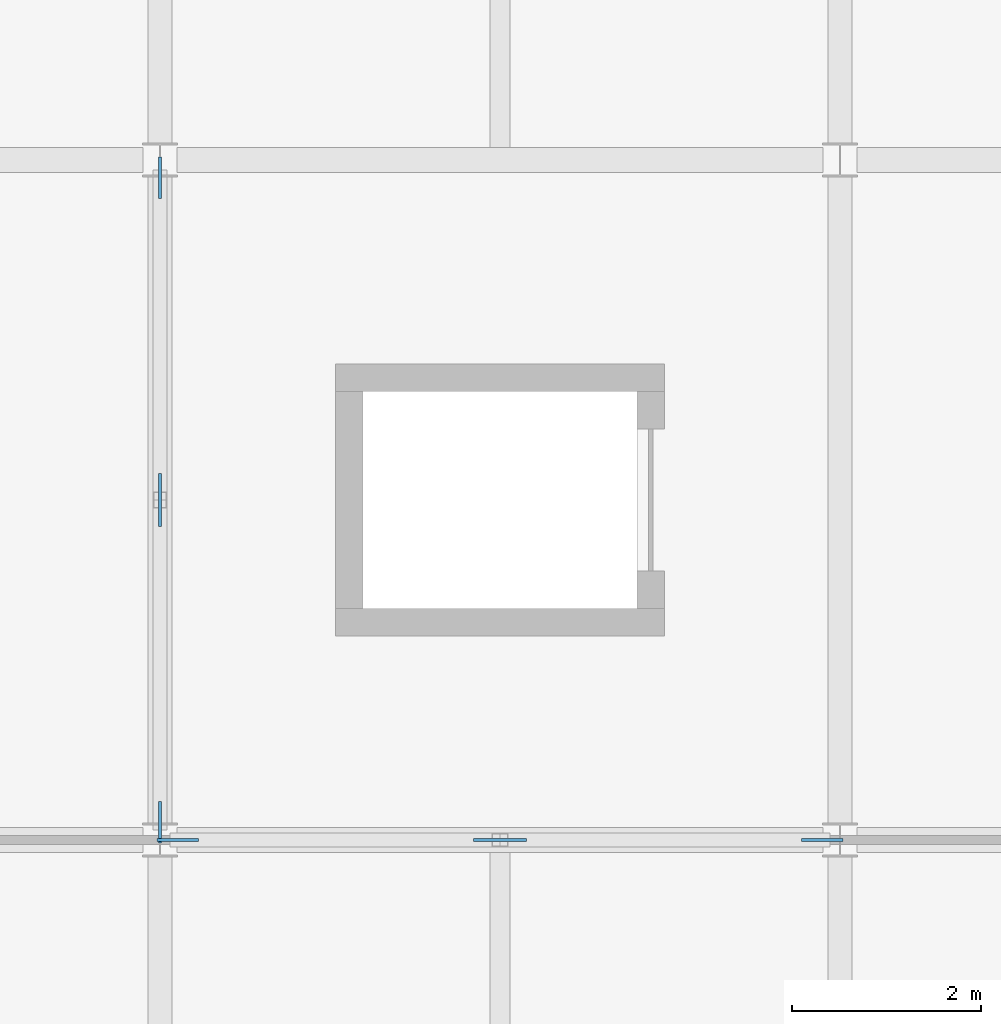
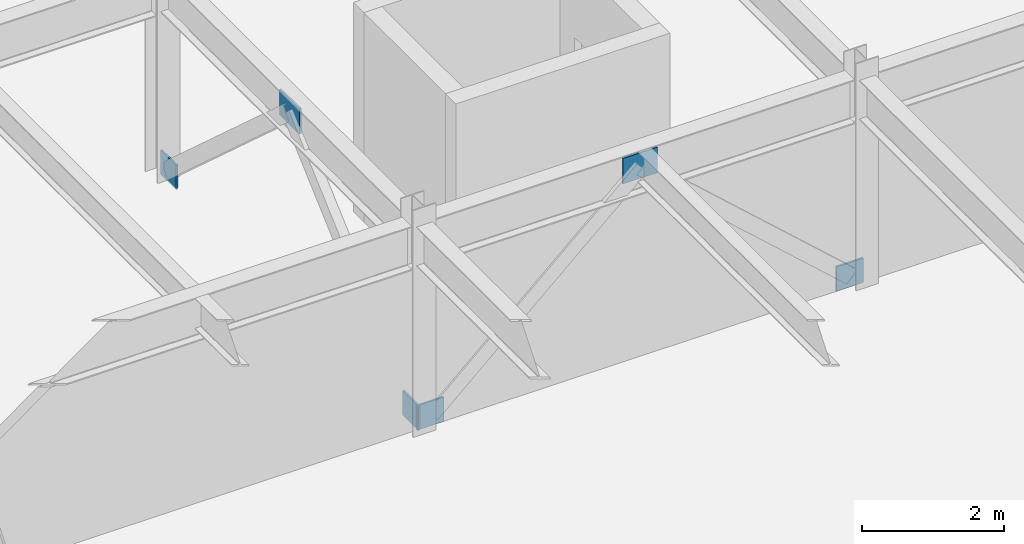
# One storey, part 51 of 80: 6 plates.
"""IFC4 building model written with IfcOpenShell, lengths in metres."""

from ifc_helpers import new_model, si_unit, direction, frame, origin, origin_2d, place, context, subcontext, project, spatial, rectangle, extrude, material, layer, layer_set, type_object, element, save


model = new_model("IFC4")

# Units and contexts
model_context = context("Model", 3, precision=1e-05, world=origin(), true_north=direction((0.0, 1.0)))
body_context = subcontext(model_context, "Body", "Model", "MODEL_VIEW")
ifc_project = project(units=[si_unit("LENGTHUNIT", "METRE"), si_unit("AREAUNIT", "SQUARE_METRE"), si_unit("VOLUMEUNIT", "CUBIC_METRE"), si_unit("PLANEANGLEUNIT", "RADIAN"), si_unit("MASSUNIT", "GRAM", prefix="KILO")], contexts=[model_context])

# Site, building, storey
site_placement = place(None, origin())
site = spatial("IfcSite", under=ifc_project, at=site_placement, CompositionType="ELEMENT")
building_placement = place(site_placement, origin())
building = spatial("IfcBuilding", under=site, at=building_placement, Name="Vaelcorin Mobility Hub", CompositionType="ELEMENT")
storey_placement = place(building_placement, frame((0.0, 0.0, 9.300048828125)))
storey = spatial("IfcBuildingStorey", under=building, at=storey_placement, Name="L02", CompositionType="ELEMENT", Elevation=9.300048828125)

# Plates
ifc_material = material(Name="Steel ASTM A572 Grade 50", Category="steel")
ifc_layer = layer(ifc_material, 0.030029296875)
ifc_layer_set = layer_set([ifc_layer], Name="Steel ASTM A572 Grade 50")
plate_type = type_object("IfcPlateType", Name="PL-GN2", PredefinedType="USERDEFINED", material=ifc_layer_set)
for number, where, z_axis, x_axis, name in (
    (1, (160.989990234375, 98.39990234375, -0.030029296875), (0.0, 0.0, 1.0), (1.0, 0.0, 0.0), "SCBF Gusset Plate GN2 V5-BX2-L02-A"),
    (2, (167.81005859375, 98.39990234375, -0.030029296875), (0.0, 0.0, 1.0), (1.0, 0.0, 0.0), "SCBF Gusset Plate GN2 V5-BX2-L02-B"),
):
    element("IfcPlate", number, at=place(storey_placement, frame(where, z_axis=z_axis, x_axis=x_axis)), inside=storey, type_object=plate_type, Name=name, ObjectType="GUSSET PLATE", PredefinedType="USERDEFINED", context=body_context, shape_type="SweptSolid", body=[
        extrude(rectangle(XDim=0.43994140625, YDim=0.030029296875, at=origin_2d()), origin(), (0.0, 0.0, 1.0), 0.419921875),
    ])
plate_1_placement = place(storey_placement, frame((164.39990234375, 98.39990234375, 3.030029296875), z_axis=(0.0, 0.0, 1.0), x_axis=(1.0, 0.0, 0.0)))
element("IfcPlate", 3, at=plate_1_placement, inside=storey, type_object=plate_type, Name="SCBF Apex Gusset GN2 V5-BX2-L02", ObjectType="GUSSET PLATE", PredefinedType="USERDEFINED", context=body_context, shape_type="SweptSolid", body=[
    extrude(rectangle(XDim=0.56005859375, YDim=0.030029296875, at=origin_2d()), origin(), (0.0, 0.0, 1.0), 0.43994140625),
])
for number, where, z_axis, x_axis, name in (
    (4, (160.800048828125, 98.590087890625, -0.030029296875), (0.0, 0.0, 1.0), (0.0, 1.0, 0.0), "SCBF Gusset Plate GN2 V5-BY2-L02-A"),
    (5, (160.800048828125, 105.409912109375, -0.030029296875), (0.0, 0.0, 1.0), (0.0, 1.0, 0.0), "SCBF Gusset Plate GN2 V5-BY2-L02-B"),
):
    element("IfcPlate", number, at=place(storey_placement, frame(where, z_axis=z_axis, x_axis=x_axis)), inside=storey, type_object=plate_type, Name=name, ObjectType="GUSSET PLATE", PredefinedType="USERDEFINED", context=body_context, shape_type="SweptSolid", body=[
        extrude(rectangle(XDim=0.43994140625, YDim=0.030029296875, at=origin_2d()), origin(), (0.0, 0.0, 1.0), 0.419921875),
    ])
plate_2_placement = place(storey_placement, frame((160.800048828125, 102.0, 3.030029296875), z_axis=(0.0, 0.0, 1.0), x_axis=(0.0, 1.0, 0.0)))
element("IfcPlate", 6, at=plate_2_placement, inside=storey, type_object=plate_type, Name="SCBF Apex Gusset GN2 V5-BY2-L02", ObjectType="GUSSET PLATE", PredefinedType="USERDEFINED", context=body_context, shape_type="SweptSolid", body=[
    extrude(rectangle(XDim=0.56005859375, YDim=0.030029296875, at=origin_2d()), origin(), (0.0, 0.0, 1.0), 0.43994140625),
])

save(model, "model.ifc")
